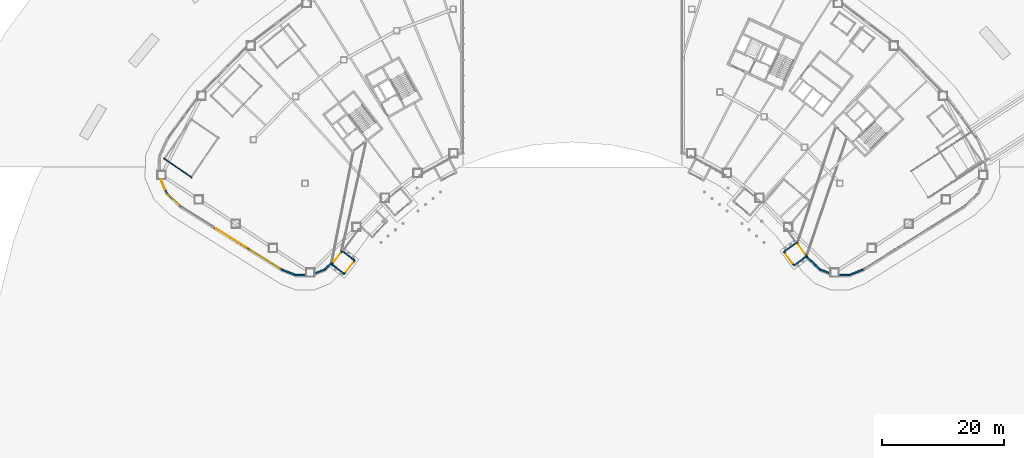
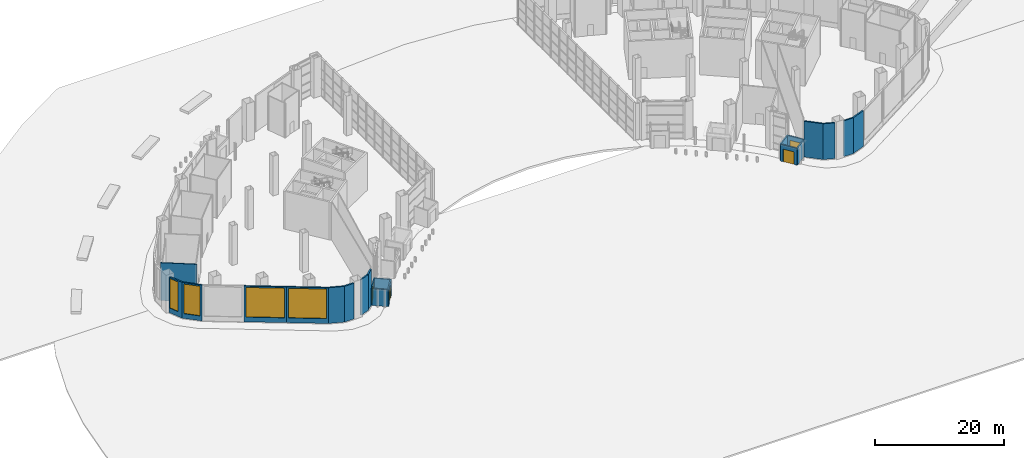
# One storey, part 30 of 45: 21 walls, 4 doors, 4 windows, 8 openings.
"""IFC4 building model written with IfcOpenShell, lengths in metres."""

from ifc_helpers import new_model, si_unit, direction, frame, frame_2d, origin, place, context, subcontext, project, spatial, rectangle, extrude, material, layer, layer_set, type_object, element, fill, save


model = new_model("IFC4")

# Units and contexts
model_context = context("Model", 3, precision=1e-05, world=origin(), true_north=direction((0.0, 1.0)))
body_context = subcontext(model_context, "Body", "Model", "MODEL_VIEW")
ifc_project = project(units=[si_unit("LENGTHUNIT", "METRE"), si_unit("AREAUNIT", "SQUARE_METRE"), si_unit("VOLUMEUNIT", "CUBIC_METRE"), si_unit("PLANEANGLEUNIT", "RADIAN"), si_unit("MASSUNIT", "GRAM", prefix="KILO")], contexts=[model_context])

# Site, building, storey
site_placement = place(None, origin())
site = spatial("IfcSite", under=ifc_project, at=site_placement, CompositionType="ELEMENT")
building_placement = place(site_placement, origin())
building = spatial("IfcBuilding", under=site, at=building_placement, Name="Tuul Gate Civic Tower", CompositionType="ELEMENT")
storey_placement = place(building_placement, origin())
storey = spatial("IfcBuildingStorey", under=building, at=storey_placement, Name="Level 00", CompositionType="ELEMENT", Elevation=0.0)

# Walls
ifc_material_1 = material(Name="Fire-rated glazed steel S355", Category="steel")
ifc_layer_1 = layer(ifc_material_1, 0.199951171875)
ifc_layer_set_1 = layer_set([ifc_layer_1], Name="Fire-rated glazed steel S355")
wall_type_1 = type_object("IfcWallType", Name="Exit lobby wall", PredefinedType="SOLIDWALL", material=ifc_layer_set_1)
for number, where, z_axis, x_axis, name in (
    (1, (-39.490966796875, -36.087890625, 0.0), (0.0, 0.0, 1.0), (0.790838062842, -0.612025455647, 0.0), "Exit lobby wall"),
    (2, (-37.77734375, -33.87353515625, 0.0), (0.0, 0.0, 1.0), (0.790838062842, -0.612025455647, 0.0), "Exit lobby wall"),
):
    element("IfcWall", number, at=place(storey_placement, frame(where, z_axis=z_axis, x_axis=x_axis)), inside=storey, type_object=wall_type_1, Name=name, PredefinedType="SOLIDWALL", context=body_context, shape_type="SweptSolid", body=[
        extrude(rectangle(XDim=2.5, YDim=0.199951171875, at=frame_2d((1.25, 0.0))), origin(), (0.0, 0.0, 1.0), 3.199951171875),
    ])

# Wall, opening, door
wall_1_placement = place(storey_placement, frame((-37.513916015625, -37.617919921875, 0.0), z_axis=(0.0, 0.0, 1.0), x_axis=(0.612013145545, 0.790847589413, 0.0)))
wall_1 = element("IfcWall", 3, at=wall_1_placement, inside=storey, type_object=wall_type_1, Name="Exit lobby wall", PredefinedType="SOLIDWALL", context=body_context, shape_type="SweptSolid", body=[
    extrude(rectangle(XDim=2.800048828125, YDim=0.199951171875, at=frame_2d((1.39990234375, 0.0))), origin(), (0.0, 0.0, 1.0), 3.199951171875),
])
opening_1_placement = place(wall_1_placement, frame((0.5, 0.0, 0.0)))
opening_1 = element("IfcOpeningElement", 4, at=opening_1_placement, cuts=wall_1, Name="Opening XD", PredefinedType="OPENING", context=body_context, shape_type="SweptSolid", body=[
    extrude(rectangle(XDim=1.800048828125, YDim=2.39990234375, at=frame_2d((0.89990234375, 1.199951171875))), frame((0.0, 0.10986328125, 0.0), z_axis=(0.0, -1.0, 0.0), x_axis=(1.0, 0.0, 0.0)), (0.0, 0.0, 1.0), 0.219970703125),
])
ifc_material_2 = material(Name="Glazed aluminium", Category="aluminium")
door_type = type_object("IfcDoorType", Name="Exit door", OperationType="DOUBLE_DOOR_SINGLE_SWING", PredefinedType="DOOR", material=ifc_material_2)
door_1_placement = place(opening_1_placement, frame((1.800048828125, 0.0, 0.0), z_axis=(0.0, 0.0, 1.0), x_axis=(-1.0, 0.0, 0.0)))
door_1 = element("IfcDoor", 5, at=door_1_placement, inside=storey, type_object=door_type, Name="Exit door", OperationType="DOUBLE_DOOR_SINGLE_SWING", OverallHeight=2.39990234375, OverallWidth=1.800048828125, PredefinedType="DOOR", context=body_context, shape_type="SweptSolid", body=[
    extrude(rectangle(XDim=1.800048828125, YDim=2.39990234375, at=frame_2d((0.900146484375, 1.199951171875))), frame((0.0, 0.02490234375, 0.0), z_axis=(0.0, -1.0, 0.0), x_axis=(1.0, 0.0, 0.0)), (0.0, 0.0, 1.0), 0.050048828125),
])
fill(opening_1, door_1)

wall_2_placement = place(storey_placement, frame((-39.63134765625, -36.105712890625, 0.0), z_axis=(0.0, 0.0, 1.0), x_axis=(0.61204023774, 0.790826622837, 0.0)))
wall_2 = element("IfcWall", 6, at=wall_2_placement, inside=storey, type_object=wall_type_1, Name="Exit lobby wall", PredefinedType="SOLIDWALL", context=body_context, shape_type="SweptSolid", body=[
    extrude(rectangle(XDim=3.0, YDim=0.199951171875, at=frame_2d((1.5, 0.0))), origin(), (0.0, 0.0, 1.0), 3.199951171875),
])
opening_2_placement = place(wall_2_placement, frame((0.60009765625, 0.0, 0.0)))
opening_2 = element("IfcOpeningElement", 7, at=opening_2_placement, cuts=wall_2, Name="Opening XD", PredefinedType="OPENING", context=body_context, shape_type="SweptSolid", body=[
    extrude(rectangle(XDim=1.800048828125, YDim=2.39990234375, at=frame_2d((0.89990234375, 1.199951171875))), frame((0.0, 0.10986328125, 0.0), z_axis=(0.0, -1.0, 0.0), x_axis=(1.0, 0.0, 0.0)), (0.0, 0.0, 1.0), 0.219970703125),
])
door_2_placement = place(opening_2_placement, frame((1.800048828125, 0.0, 0.0), z_axis=(0.0, 0.0, 1.0), x_axis=(-1.0, 0.0, 0.0)))
door_2 = element("IfcDoor", 8, at=door_2_placement, inside=storey, type_object=door_type, Name="Exit inner door", OperationType="DOUBLE_DOOR_SINGLE_SWING", OverallHeight=2.39990234375, OverallWidth=1.800048828125, PredefinedType="DOOR", context=body_context, shape_type="SweptSolid", body=[
    extrude(rectangle(XDim=1.800048828125, YDim=2.39990234375, at=frame_2d((0.900146484375, 1.199951171875))), frame((0.0, 0.02490234375, 0.0), z_axis=(0.0, -1.0, 0.0), x_axis=(1.0, 0.0, 0.0)), (0.0, 0.0, 1.0), 0.050048828125),
])
fill(opening_2, door_2)

# Walls
wall_3_placement = place(storey_placement, frame((36.97900390625, -32.33837890625, 0.0), z_axis=(0.0, 0.0, 1.0), x_axis=(-0.807609662106, -0.589717418492, 0.0)))
element("IfcWall", 9, at=wall_3_placement, inside=storey, type_object=wall_type_1, Name="Exit lobby wall", PredefinedType="SOLIDWALL", context=body_context, shape_type="SweptSolid", body=[
    extrude(rectangle(XDim=2.7216796875, YDim=0.199951171875, at=frame_2d((1.36083984375, 0.0))), origin(), (0.0, 0.0, 1.0), 3.199951171875),
])
wall_4_placement = place(storey_placement, frame((38.451171875, -34.730224609375, 0.0), z_axis=(0.0, 0.0, 1.0), x_axis=(-0.807564655814, -0.589779049034, 0.0)))
element("IfcWall", 10, at=wall_4_placement, inside=storey, type_object=wall_type_1, Name="Exit lobby wall", PredefinedType="SOLIDWALL", context=body_context, shape_type="SweptSolid", body=[
    extrude(rectangle(XDim=2.499755859375, YDim=0.199951171875, at=frame_2d((1.25, 0.0))), origin(), (0.0, 0.0, 1.0), 3.199951171875),
])

# Wall, opening, door
wall_5_placement = place(storey_placement, frame((34.781005859375, -33.943359375, 0.0), z_axis=(0.0, 0.0, 1.0), x_axis=(0.589767344865, -0.80757320345, 0.0)))
wall_5 = element("IfcWall", 11, at=wall_5_placement, inside=storey, type_object=wall_type_1, Name="Exit lobby wall", PredefinedType="SOLIDWALL", context=body_context, shape_type="SweptSolid", body=[
    extrude(rectangle(XDim=2.800048828125, YDim=0.199951171875, at=frame_2d((1.39990234375, 0.0))), origin(), (0.0, 0.0, 1.0), 3.199951171875),
])
opening_3_placement = place(wall_5_placement, frame((0.5, 0.0, 0.0)))
opening_3 = element("IfcOpeningElement", 12, at=opening_3_placement, cuts=wall_5, Name="Opening XD", PredefinedType="OPENING", context=body_context, shape_type="SweptSolid", body=[
    extrude(rectangle(XDim=1.800048828125, YDim=2.39990234375, at=frame_2d((0.89990234375, 1.199951171875))), frame((0.0, 0.10986328125, 0.0), z_axis=(0.0, -1.0, 0.0), x_axis=(1.0, 0.0, 0.0)), (0.0, 0.0, 1.0), 0.219970703125),
])
door_3_placement = place(opening_3_placement, frame((1.800048828125, 0.0, 0.0), z_axis=(0.0, 0.0, 1.0), x_axis=(-1.0, 0.0, 0.0)))
door_3 = element("IfcDoor", 13, at=door_3_placement, inside=storey, type_object=door_type, Name="Exit door", OperationType="DOUBLE_DOOR_SINGLE_SWING", OverallHeight=2.39990234375, OverallWidth=1.800048828125, PredefinedType="DOOR", context=body_context, shape_type="SweptSolid", body=[
    extrude(rectangle(XDim=1.800048828125, YDim=2.39990234375, at=frame_2d((0.900146484375, 1.199951171875))), frame((0.0, 0.02490234375, 0.0), z_axis=(0.0, -1.0, 0.0), x_axis=(1.0, 0.0, 0.0)), (0.0, 0.0, 1.0), 0.050048828125),
])
fill(opening_3, door_3)

wall_6_placement = place(storey_placement, frame((36.82177734375, -32.329345703125, 0.0), z_axis=(0.0, 0.0, 1.0), x_axis=(0.589743152036, -0.807590870817, 0.0)))
wall_6 = element("IfcWall", 14, at=wall_6_placement, inside=storey, type_object=wall_type_1, Name="Exit lobby wall", PredefinedType="SOLIDWALL", context=body_context, shape_type="SweptSolid", body=[
    extrude(rectangle(XDim=3.0, YDim=0.199951171875, at=frame_2d((1.5, 0.0))), origin(), (0.0, 0.0, 1.0), 3.199951171875),
])
opening_4_placement = place(wall_6_placement, frame((0.60009765625, 0.0, 0.0)))
opening_4 = element("IfcOpeningElement", 15, at=opening_4_placement, cuts=wall_6, Name="Opening XD", PredefinedType="OPENING", context=body_context, shape_type="SweptSolid", body=[
    extrude(rectangle(XDim=1.800048828125, YDim=2.39990234375, at=frame_2d((0.89990234375, 1.199951171875))), frame((0.0, 0.10986328125, 0.0), z_axis=(0.0, -1.0, 0.0), x_axis=(1.0, 0.0, 0.0)), (0.0, 0.0, 1.0), 0.219970703125),
])
door_4_placement = place(opening_4_placement, frame((1.800048828125, 0.0, 0.0), z_axis=(0.0, 0.0, 1.0), x_axis=(-1.0, 0.0, 0.0)))
door_4 = element("IfcDoor", 16, at=door_4_placement, inside=storey, type_object=door_type, Name="Exit inner door", OperationType="DOUBLE_DOOR_SINGLE_SWING", OverallHeight=2.39990234375, OverallWidth=1.800048828125, PredefinedType="DOOR", context=body_context, shape_type="SweptSolid", body=[
    extrude(rectangle(XDim=1.800048828125, YDim=2.39990234375, at=frame_2d((0.900146484375, 1.199951171875))), frame((0.0, 0.02490234375, 0.0), z_axis=(0.0, -1.0, 0.0), x_axis=(1.0, 0.0, 0.0)), (0.0, 0.0, 1.0), 0.050048828125),
])
fill(opening_4, door_4)

# Wall, opening, window
ifc_material_3 = material(Name="Precast concrete C40/50", Category="concrete")
ifc_layer_2 = layer(ifc_material_3, 0.25)
ifc_layer_set_2 = layer_set([ifc_layer_2], Name="Precast concrete C40/50")
wall_type_2 = type_object("IfcWallType", Name="External wall", PredefinedType="STANDARD", material=ifc_layer_set_2)
wall_7_placement = place(storey_placement, frame((-67.61181640625, -22.06689453125, 0.0), z_axis=(0.0, 0.0, 1.0), x_axis=(0.38573160677, -0.922611038054, 0.0)))
wall_7 = element("IfcWall", 17, at=wall_7_placement, inside=storey, type_object=wall_type_2, Name="External wall", PredefinedType="STANDARD", context=body_context, shape_type="SweptSolid", body=[
    extrude(rectangle(XDim=2.484130859375, YDim=0.25, at=frame_2d((1.2421875, 0.0))), origin(), (0.0, 0.0, 1.0), 6.75),
])
opening_5_placement = place(wall_7_placement, frame((0.033203125, 0.0, 0.89990234375)))
opening_5 = element("IfcOpeningElement", 18, at=opening_5_placement, cuts=wall_7, Name="Opening W2", PredefinedType="OPENING", context=body_context, shape_type="SweptSolid", body=[
    extrude(rectangle(XDim=1.699951171875, YDim=5.60009765625, at=frame_2d((0.85009765625, 2.800048828125))), frame((0.0, 0.135009765625, 0.0), z_axis=(0.0, -1.0, 0.0), x_axis=(1.0, 0.0, 0.0)), (0.0, 0.0, 1.0), 0.27001953125),
])
ifc_material_4 = material(Name="Glass", Category="glass")
window_type_1 = type_object("IfcWindowType", Name="Window W2 1700 x 5600", PartitioningType="SINGLE_PANEL", PredefinedType="WINDOW", material=ifc_material_4)
window_1_placement = place(opening_5_placement, origin())
window_1 = element("IfcWindow", 19, at=window_1_placement, inside=storey, type_object=window_type_1, Name="Window", OverallHeight=5.60009765625, OverallWidth=1.699951171875, PartitioningType="SINGLE_PANEL", PredefinedType="WINDOW", context=body_context, shape_type="SweptSolid", body=[
    extrude(rectangle(XDim=1.699951171875, YDim=5.60009765625, at=frame_2d((0.85009765625, 2.800048828125))), frame((0.0, 0.030029296875, 0.0), z_axis=(0.0, -1.0, 0.0), x_axis=(1.0, 0.0, 0.0)), (0.0, 0.0, 1.0), 0.06005859375),
])
fill(opening_5, window_1)

wall_8_placement = place(storey_placement, frame((-66.6826171875, -24.316650390625, 0.0), z_axis=(0.0, 0.0, 1.0), x_axis=(0.722378510216, -0.69149785826, 0.0)))
wall_8 = element("IfcWall", 20, at=wall_8_placement, inside=storey, type_object=wall_type_2, Name="External wall", PredefinedType="STANDARD", context=body_context, shape_type="SweptSolid", body=[
    extrude(rectangle(XDim=3.201904296875, YDim=0.25, at=frame_2d((1.60107421875, 0.0))), origin(), (0.0, 0.0, 1.0), 6.75),
])
opening_6_placement = place(wall_8_placement, frame((0.301025390625, 0.0, 0.89990234375)))
opening_6 = element("IfcOpeningElement", 21, at=opening_6_placement, cuts=wall_8, Name="Opening W1", PredefinedType="OPENING", context=body_context, shape_type="SweptSolid", body=[
    extrude(rectangle(XDim=2.60009765625, YDim=5.60009765625, at=frame_2d((1.300048828125, 2.800048828125))), frame((0.0, 0.135009765625, 0.0), z_axis=(0.0, -1.0, 0.0), x_axis=(1.0, 0.0, 0.0)), (0.0, 0.0, 1.0), 0.27001953125),
])
ifc_material_5 = material(Name="Glass", Category="glass")
window_type_2 = type_object("IfcWindowType", Name="Window W1 2600 x 5600", PartitioningType="SINGLE_PANEL", PredefinedType="WINDOW", material=ifc_material_5)
window_2_placement = place(opening_6_placement, origin())
window_2 = element("IfcWindow", 22, at=window_2_placement, inside=storey, type_object=window_type_2, Name="Window", OverallHeight=5.60009765625, OverallWidth=2.60009765625, PartitioningType="SINGLE_PANEL", PredefinedType="WINDOW", context=body_context, shape_type="SweptSolid", body=[
    extrude(rectangle(XDim=2.60009765625, YDim=5.60009765625, at=frame_2d((1.300048828125, 2.800048828125))), frame((0.0, 0.030029296875, 0.0), z_axis=(0.0, -1.0, 0.0), x_axis=(1.0, 0.0, 0.0)), (0.0, 0.0, 1.0), 0.06005859375),
])
fill(opening_6, window_2)

wall_9_placement = place(storey_placement, frame((-58.8525390625, -29.975341796875, 0.0), z_axis=(0.0, 0.0, 1.0), x_axis=(0.848042412856, -0.529928359306, 0.0)))
wall_9 = element("IfcWall", 23, at=wall_9_placement, inside=storey, type_object=wall_type_2, Name="External wall", PredefinedType="STANDARD", context=body_context, shape_type="SweptSolid", body=[
    extrude(rectangle(XDim=6.529541015625, YDim=0.25, at=frame_2d((3.2646484375, 0.0))), origin(), (0.0, 0.0, 1.0), 6.75),
])
opening_7_placement = place(wall_9_placement, frame((0.314697265625, 0.0, 0.89990234375)))
opening_7 = element("IfcOpeningElement", 24, at=opening_7_placement, cuts=wall_9, Name="Opening W7", PredefinedType="OPENING", context=body_context, shape_type="SweptSolid", body=[
    extrude(rectangle(XDim=5.89990234375, YDim=5.60009765625, at=frame_2d((2.949951171875, 2.800048828125))), frame((0.0, 0.135009765625, 0.0), z_axis=(0.0, -1.0, 0.0), x_axis=(1.0, 0.0, 0.0)), (0.0, 0.0, 1.0), 0.27001953125),
])
ifc_material_6 = material(Name="Glass", Category="glass")
window_type_3 = type_object("IfcWindowType", Name="Window W7 5900 x 5600", PartitioningType="SINGLE_PANEL", PredefinedType="WINDOW", material=ifc_material_6)
window_3_placement = place(opening_7_placement, origin())
window_3 = element("IfcWindow", 25, at=window_3_placement, inside=storey, type_object=window_type_3, Name="Window", OverallHeight=5.60009765625, OverallWidth=5.89990234375, PartitioningType="SINGLE_PANEL", PredefinedType="WINDOW", context=body_context, shape_type="SweptSolid", body=[
    extrude(rectangle(XDim=5.89990234375, YDim=5.60009765625, at=frame_2d((2.949951171875, 2.800048828125))), frame((0.0, 0.030029296875, 0.0), z_axis=(0.0, -1.0, 0.0), x_axis=(1.0, 0.0, 0.0)), (0.0, 0.0, 1.0), 0.06005859375),
])
fill(opening_7, window_3)

wall_10_placement = place(storey_placement, frame((-53.315185546875, -33.435546875, 0.0), z_axis=(0.0, 0.0, 1.0), x_axis=(0.848025609636, -0.529955248489, 0.0)))
wall_10 = element("IfcWall", 26, at=wall_10_placement, inside=storey, type_object=wall_type_2, Name="External wall", PredefinedType="STANDARD", context=body_context, shape_type="SweptSolid", body=[
    extrude(rectangle(XDim=6.52978515625, YDim=0.25, at=frame_2d((3.264892578125, 0.0))), origin(), (0.0, 0.0, 1.0), 6.75),
])
opening_8_placement = place(wall_10_placement, frame((0.314697265625, 0.0, 0.89990234375)))
opening_8 = element("IfcOpeningElement", 27, at=opening_8_placement, cuts=wall_10, Name="Opening W7", PredefinedType="OPENING", context=body_context, shape_type="SweptSolid", body=[
    extrude(rectangle(XDim=5.89990234375, YDim=5.60009765625, at=frame_2d((2.949951171875, 2.800048828125))), frame((0.0, 0.135009765625, 0.0), z_axis=(0.0, -1.0, 0.0), x_axis=(1.0, 0.0, 0.0)), (0.0, 0.0, 1.0), 0.27001953125),
])
window_4_placement = place(opening_8_placement, origin())
window_4 = element("IfcWindow", 28, at=window_4_placement, inside=storey, type_object=window_type_3, Name="Window", OverallHeight=5.60009765625, OverallWidth=5.89990234375, PartitioningType="SINGLE_PANEL", PredefinedType="WINDOW", context=body_context, shape_type="SweptSolid", body=[
    extrude(rectangle(XDim=5.89990234375, YDim=5.60009765625, at=frame_2d((2.949951171875, 2.800048828125))), frame((0.0, 0.030029296875, 0.0), z_axis=(0.0, -1.0, 0.0), x_axis=(1.0, 0.0, 0.0)), (0.0, 0.0, 1.0), 0.06005859375),
])
fill(opening_8, window_4)

# Walls
wall_11_placement = place(storey_placement, frame((-47.798583984375, -36.885498046875, 0.0), z_axis=(0.0, 0.0, 1.0), x_axis=(0.931986397936, -0.36249324692, 0.0)))
element("IfcWall", 29, at=wall_11_placement, inside=storey, type_object=wall_type_2, Name="External wall", PredefinedType="STANDARD", context=body_context, shape_type="SweptSolid", body=[
    extrude(rectangle(XDim=2.507568359375, YDim=0.25, at=frame_2d((1.25390625, 0.0))), origin(), (0.0, 0.0, 1.0), 6.75),
])
wall_12_placement = place(storey_placement, frame((-45.50732421875, -37.785888671875, 0.0), z_axis=(0.0, 0.0, 1.0), x_axis=(0.999995034341, 0.003151395324, 0.0)))
element("IfcWall", 30, at=wall_12_placement, inside=storey, type_object=wall_type_2, Name="External wall", PredefinedType="STANDARD", context=body_context, shape_type="SweptSolid", body=[
    extrude(rectangle(XDim=1.704345703125, YDim=0.25, at=frame_2d((0.85205078125, 0.0))), origin(), (0.0, 0.0, 1.0), 6.75),
])
wall_13_placement = place(storey_placement, frame((-42.403076171875, -37.531005859375, 0.0), z_axis=(0.0, 0.0, 1.0), x_axis=(0.929466539536, 0.368906427001, 0.0)))
element("IfcWall", 31, at=wall_13_placement, inside=storey, type_object=wall_type_2, Name="External wall", PredefinedType="STANDARD", context=body_context, shape_type="SweptSolid", body=[
    extrude(rectangle(XDim=1.81396484375, YDim=0.25, at=frame_2d((0.906982421875, 0.0))), origin(), (0.0, 0.0, 1.0), 6.75),
])
wall_14_placement = place(storey_placement, frame((-40.75634765625, -36.88671875, 0.0), z_axis=(0.0, 0.0, 1.0), x_axis=(0.72988508641, 0.68356986522, 0.0)))
element("IfcWall", 32, at=wall_14_placement, inside=storey, type_object=wall_type_2, Name="External wall", PredefinedType="STANDARD", context=body_context, shape_type="SweptSolid", body=[
    extrude(rectangle(XDim=1.59716796875, YDim=0.25, at=frame_2d((0.798583984375, 0.0))), origin(), (0.0, 0.0, 1.0), 6.75),
])
wall_15_placement = place(storey_placement, frame((38.527099609375, -34.798828125, 0.0), z_axis=(0.0, 0.0, 1.0), x_axis=(0.729868649466, -0.683587415424, 0.0)))
element("IfcWall", 33, at=wall_15_placement, inside=storey, type_object=wall_type_2, Name="External wall", PredefinedType="STANDARD", context=body_context, shape_type="SweptSolid", body=[
    extrude(rectangle(XDim=3.05419921875, YDim=0.25, at=frame_2d((1.527099609375, 0.0))), origin(), (0.0, 0.0, 1.0), 6.75),
])
wall_16_placement = place(storey_placement, frame((40.717041015625, -36.86181640625, 0.0), z_axis=(0.0, 0.0, 1.0), x_axis=(0.929466539536, -0.368906427001, 0.0)))
element("IfcWall", 34, at=wall_16_placement, inside=storey, type_object=wall_type_2, Name="External wall", PredefinedType="STANDARD", context=body_context, shape_type="SweptSolid", body=[
    extrude(rectangle(XDim=1.81396484375, YDim=0.25, at=frame_2d((0.906982421875, 0.0))), origin(), (0.0, 0.0, 1.0), 6.75),
])
wall_17_placement = place(storey_placement, frame((43.802978515625, -37.780517578125, 0.0), z_axis=(0.0, 0.0, 1.0), x_axis=(0.999995034341, -0.003151395324, 0.0)))
element("IfcWall", 35, at=wall_17_placement, inside=storey, type_object=wall_type_2, Name="External wall", PredefinedType="STANDARD", context=body_context, shape_type="SweptSolid", body=[
    extrude(rectangle(XDim=1.704345703125, YDim=0.25, at=frame_2d((0.85205078125, 0.0))), origin(), (0.0, 0.0, 1.0), 6.75),
])
wall_18_placement = place(storey_placement, frame((45.461669921875, -37.79443359375, 0.0), z_axis=(0.0, 0.0, 1.0), x_axis=(0.931986397936, 0.36249324692, 0.0)))
element("IfcWall", 36, at=wall_18_placement, inside=storey, type_object=wall_type_2, Name="External wall", PredefinedType="STANDARD", context=body_context, shape_type="SweptSolid", body=[
    extrude(rectangle(XDim=2.507568359375, YDim=0.25, at=frame_2d((1.25390625, 0.0))), origin(), (0.0, 0.0, 1.0), 6.75),
])
ifc_material_7 = material(Name="Concrete block", Category="concrete")
ifc_layer_3 = layer(ifc_material_7, 0.14990234375)
ifc_layer_set_3 = layer_set([ifc_layer_3], Name="Concrete block")
wall_type_3 = type_object("IfcWallType", Name="Ground floor room wall", PredefinedType="PARTITIONING", material=ifc_layer_set_3)
wall_19_placement = place(storey_placement, frame((-62.560546875, -21.76611328125, 0.0), z_axis=(0.0, 0.0, 1.0), x_axis=(-0.824122607175, 0.566411447927, 0.0)))
element("IfcWall", 37, at=wall_19_placement, inside=storey, type_object=wall_type_3, Name="Room wall", PredefinedType="PARTITIONING", context=body_context, shape_type="SweptSolid", body=[
    extrude(rectangle(XDim=5.64990234375, YDim=0.14990234375, at=frame_2d((2.824951171875, 0.0))), origin(), (0.0, 0.0, 1.0), 7.14990234375),
])

save(model, "model.ifc")
